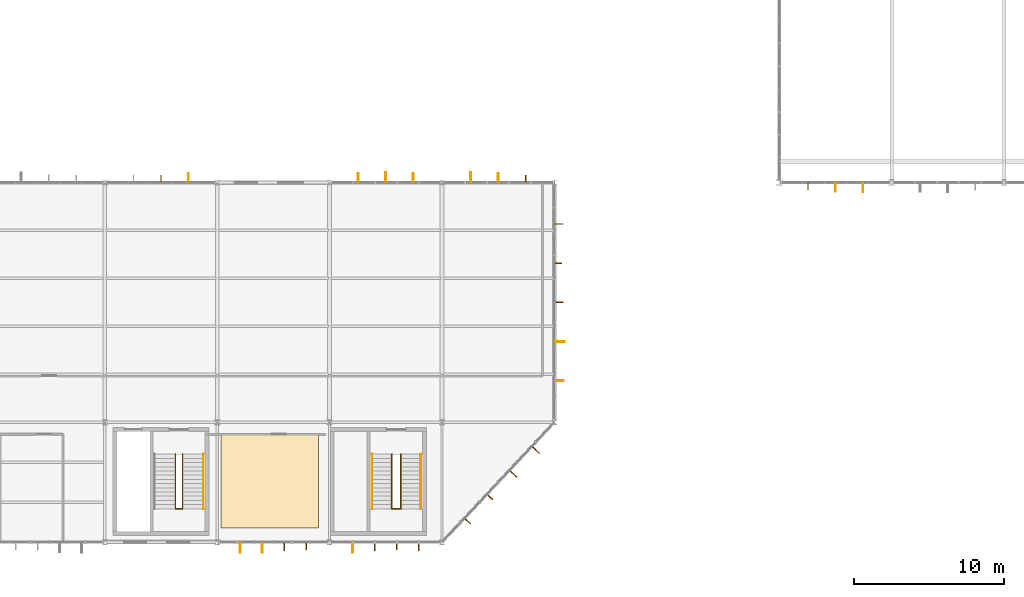
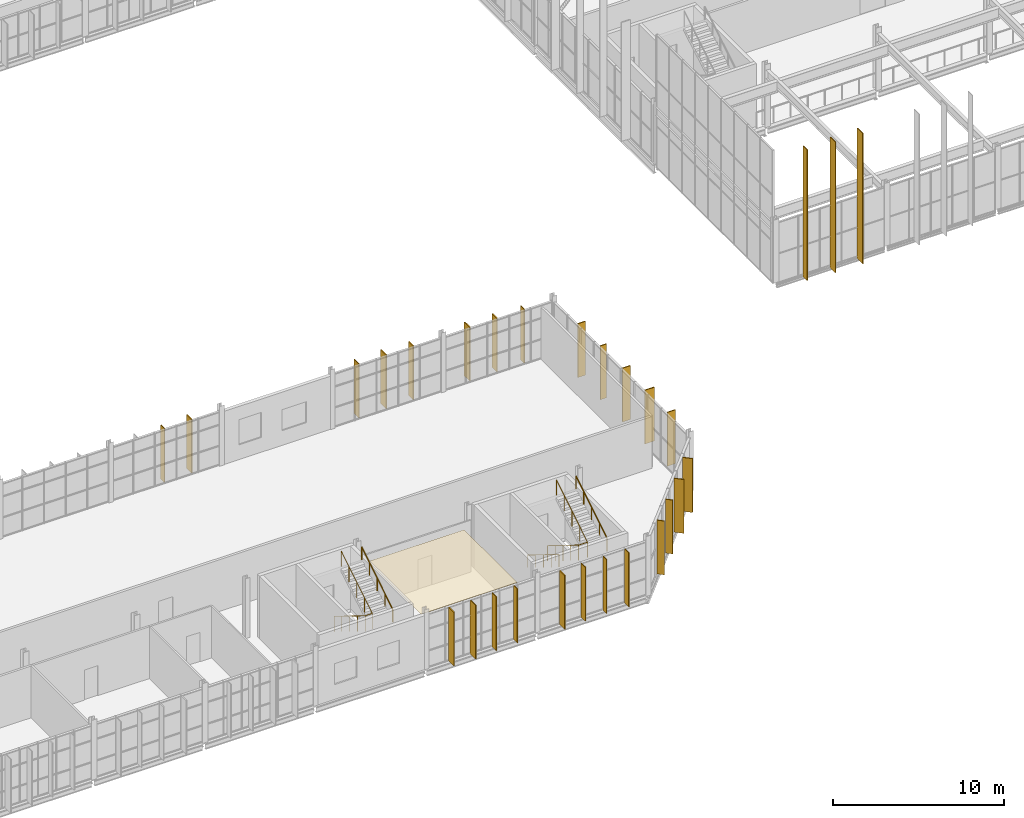
# One storey, part 316 of 324: 29 coverings, 5 railings.
"""IFC4 building model written with IfcOpenShell, lengths in metres."""

from ifc_helpers import new_model, si_unit, direction, frame, origin, origin_2d, place, context, subcontext, project, spatial, polyline, rectangle, circle, outline, extrude, material, layer, layer_set, type_object, element, save


model = new_model("IFC4")

# Units and contexts
model_context = context("Model", 3, precision=1e-05, world=origin(), true_north=direction((0.0, 1.0)))
body_context = subcontext(model_context, "Body", "Model", "MODEL_VIEW")
ifc_project = project(units=[si_unit("LENGTHUNIT", "METRE"), si_unit("AREAUNIT", "SQUARE_METRE"), si_unit("VOLUMEUNIT", "CUBIC_METRE"), si_unit("PLANEANGLEUNIT", "RADIAN"), si_unit("MASSUNIT", "GRAM", prefix="KILO")], contexts=[model_context])

# Site, building, storey
site_placement = place(None, origin())
site = spatial("IfcSite", under=ifc_project, at=site_placement, CompositionType="ELEMENT")
building_placement = place(site_placement, origin())
building = spatial("IfcBuilding", under=site, at=building_placement, Name="Solvenia Promenade Tram Depot", CompositionType="ELEMENT")
storey_placement = place(building_placement, frame((0.0, 0.0, 4.5)))
storey = spatial("IfcBuildingStorey", under=building, at=storey_placement, Name="L01", CompositionType="ELEMENT", Elevation=4.5)

# Coverings
ifc_material_1 = material(Name="Mineral-fibre acoustic ceiling tile", Category="other")
ifc_layer_1 = layer(ifc_material_1, 0.02001953125, Name="Mineral-fibre acoustic ceiling tile", Category="other")
ifc_layer_set_1 = layer_set([ifc_layer_1], Name="Mineral-fibre acoustic ceiling tile")
covering_type_1 = type_object("IfcCoveringType", Name="Ceiling-Acoustic-20", PredefinedType="CEILING", material=ifc_layer_set_1)
covering_1_placement = place(storey_placement, frame((0.0, 0.0, 3.14990234375)))
element("IfcCovering", 1, at=covering_1_placement, inside=storey, type_object=covering_type_1, Name="Staff Infirmary Acoustic Ceiling", PredefinedType="CEILING", context=body_context, shape_type="SweptSolid", body=[
    extrude(outline(polyline([(67.75, 0.949951171875), (74.25, 0.949951171875), (74.25, 7.159912109375), (67.75, 7.159912109375), (67.75, 0.949951171875)])), origin(), (0.0, 0.0, 1.0), 0.02001953125),
])
ifc_material_2 = material(Name="Anodized aluminium AW-6063 T6", Category="aluminium")
ifc_layer_2 = layer(ifc_material_2, 0.06005859375, Name="Anodized aluminium AW-6063 T6", Category="aluminium")
ifc_layer_set_2 = layer_set([ifc_layer_2], Name="Anodized aluminium AW-6063 T6")
covering_type_2 = type_object("IfcCoveringType", Name="Fin-Param-560", PredefinedType="CLADDING", material=ifc_layer_set_2)
covering_2_placement = place(storey_placement, frame((106.9150390625, 23.739501953125, -0.35009765625), z_axis=(0.0, 0.0, 1.0), x_axis=(1.0, 0.0, 0.0)))
element("IfcCovering", 2, at=covering_2_placement, inside=storey, type_object=covering_type_2, Name="Parametric Vertical Brise-Soleil Fin 182", PredefinedType="CLADDING", context=body_context, shape_type="SweptSolid", body=[
    extrude(rectangle(XDim=0.06005859375, YDim=0.470947265625, at=origin_2d()), origin(), (0.0, 0.0, 1.0), 9.35009765625),
])
covering_3_placement = place(storey_placement, frame((108.75, 23.672119140625, -0.35009765625), z_axis=(0.0, 0.0, 1.0), x_axis=(1.0, 0.0, 0.0)))
element("IfcCovering", 3, at=covering_3_placement, inside=storey, type_object=covering_type_2, Name="Parametric Vertical Brise-Soleil Fin 183", PredefinedType="CLADDING", context=body_context, shape_type="SweptSolid", body=[
    extrude(rectangle(XDim=0.06005859375, YDim=0.60595703125, at=origin_2d()), origin(), (0.0, 0.0, 1.0), 9.35009765625),
])
covering_4_placement = place(storey_placement, frame((110.5849609375, 23.66259765625, -0.35009765625), z_axis=(0.0, 0.0, 1.0), x_axis=(1.0, 0.0, 0.0)))
element("IfcCovering", 4, at=covering_4_placement, inside=storey, type_object=covering_type_2, Name="Parametric Vertical Brise-Soleil Fin 184", PredefinedType="CLADDING", context=body_context, shape_type="SweptSolid", body=[
    extrude(rectangle(XDim=0.06005859375, YDim=0.625, at=origin_2d()), origin(), (0.0, 0.0, 1.0), 9.35009765625),
])
covering_5_placement = place(storey_placement, frame((84.22216796875, 1.3916015625, 0.0), z_axis=(0.0, 0.0, 1.0), x_axis=(0.683910700219, 0.729565729819, 0.0)))
element("IfcCovering", 5, at=covering_5_placement, inside=storey, type_object=covering_type_2, Name="Parametric Vertical Brise-Soleil Fin 310", PredefinedType="CLADDING", context=body_context, shape_type="SweptSolid", body=[
    extrude(rectangle(XDim=0.06005859375, YDim=0.458984375, at=origin_2d()), origin(), (0.0, 0.0, 1.0), 3.85009765625),
])
covering_6_placement = place(storey_placement, frame((85.717041015625, 2.99658203125, 0.0), z_axis=(0.0, 0.0, 1.0), x_axis=(0.683910700219, 0.729565729819, 0.0)))
element("IfcCovering", 6, at=covering_6_placement, inside=storey, type_object=covering_type_2, Name="Parametric Vertical Brise-Soleil Fin 311", PredefinedType="CLADDING", context=body_context, shape_type="SweptSolid", body=[
    extrude(rectangle(XDim=0.06005859375, YDim=0.445068359375, at=origin_2d()), origin(), (0.0, 0.0, 1.0), 3.85009765625),
])
covering_7_placement = place(storey_placement, frame((87.273193359375, 4.5439453125, 0.0), z_axis=(0.0, 0.0, 1.0), x_axis=(0.683910700219, 0.729565729819, 0.0)))
element("IfcCovering", 7, at=covering_7_placement, inside=storey, type_object=covering_type_2, Name="Parametric Vertical Brise-Soleil Fin 312", PredefinedType="CLADDING", context=body_context, shape_type="SweptSolid", body=[
    extrude(rectangle(XDim=0.06005859375, YDim=0.59912109375, at=origin_2d()), origin(), (0.0, 0.0, 1.0), 3.85009765625),
])
covering_8_placement = place(storey_placement, frame((88.77978515625, 6.1376953125, 0.0), z_axis=(0.0, 0.0, 1.0), x_axis=(0.683910700219, 0.729565729819, 0.0)))
element("IfcCovering", 8, at=covering_8_placement, inside=storey, type_object=covering_type_2, Name="Parametric Vertical Brise-Soleil Fin 313", PredefinedType="CLADDING", context=body_context, shape_type="SweptSolid", body=[
    extrude(rectangle(XDim=0.06005859375, YDim=0.616943359375, at=origin_2d()), origin(), (0.0, 0.0, 1.0), 3.85009765625),
])
covering_9_placement = place(storey_placement, frame((69.048095703125, -0.382080078125, 0.0), z_axis=(0.0, 0.0, 1.0), x_axis=(1.0, 0.0, 0.0)))
element("IfcCovering", 9, at=covering_9_placement, inside=storey, type_object=covering_type_2, Name="Parametric Vertical Brise-Soleil Fin 338", PredefinedType="CLADDING", context=body_context, shape_type="SweptSolid", body=[
    extrude(rectangle(XDim=0.06005859375, YDim=0.614013671875, at=origin_2d()), origin(), (0.0, 0.0, 1.0), 3.85009765625),
])
covering_10_placement = place(storey_placement, frame((70.51611328125, -0.386474609375, 0.0), z_axis=(0.0, 0.0, 1.0), x_axis=(1.0, 0.0, 0.0)))
element("IfcCovering", 10, at=covering_10_placement, inside=storey, type_object=covering_type_2, Name="Parametric Vertical Brise-Soleil Fin 339", PredefinedType="CLADDING", context=body_context, shape_type="SweptSolid", body=[
    extrude(rectangle(XDim=0.06005859375, YDim=0.623046875, at=origin_2d()), origin(), (0.0, 0.0, 1.0), 3.85009765625),
])
covering_11_placement = place(storey_placement, frame((71.98388671875, -0.326416015625, 0.0), z_axis=(0.0, 0.0, 1.0), x_axis=(1.0, 0.0, 0.0)))
element("IfcCovering", 11, at=covering_11_placement, inside=storey, type_object=covering_type_2, Name="Parametric Vertical Brise-Soleil Fin 340", PredefinedType="CLADDING", context=body_context, shape_type="SweptSolid", body=[
    extrude(rectangle(XDim=0.06005859375, YDim=0.5029296875, at=origin_2d()), origin(), (0.0, 0.0, 1.0), 3.85009765625),
])
covering_12_placement = place(storey_placement, frame((73.451904296875, -0.284912109375, 0.0), z_axis=(0.0, 0.0, 1.0), x_axis=(1.0, 0.0, 0.0)))
element("IfcCovering", 12, at=covering_12_placement, inside=storey, type_object=covering_type_2, Name="Parametric Vertical Brise-Soleil Fin 341", PredefinedType="CLADDING", context=body_context, shape_type="SweptSolid", body=[
    extrude(rectangle(XDim=0.06005859375, YDim=0.419921875, at=origin_2d()), origin(), (0.0, 0.0, 1.0), 3.85009765625),
])
covering_13_placement = place(storey_placement, frame((76.548095703125, -0.384033203125, 0.0), z_axis=(0.0, 0.0, 1.0), x_axis=(1.0, 0.0, 0.0)))
element("IfcCovering", 13, at=covering_13_placement, inside=storey, type_object=covering_type_2, Name="Parametric Vertical Brise-Soleil Fin 342", PredefinedType="CLADDING", context=body_context, shape_type="SweptSolid", body=[
    extrude(rectangle(XDim=0.06005859375, YDim=0.617919921875, at=origin_2d()), origin(), (0.0, 0.0, 1.0), 3.85009765625),
])
covering_14_placement = place(storey_placement, frame((78.01611328125, -0.322021484375, 0.0), z_axis=(0.0, 0.0, 1.0), x_axis=(1.0, 0.0, 0.0)))
element("IfcCovering", 14, at=covering_14_placement, inside=storey, type_object=covering_type_2, Name="Parametric Vertical Brise-Soleil Fin 343", PredefinedType="CLADDING", context=body_context, shape_type="SweptSolid", body=[
    extrude(rectangle(XDim=0.06005859375, YDim=0.493896484375, at=origin_2d()), origin(), (0.0, 0.0, 1.0), 3.85009765625),
])
covering_15_placement = place(storey_placement, frame((79.48388671875, -0.284912109375, 0.0), z_axis=(0.0, 0.0, 1.0), x_axis=(1.0, 0.0, 0.0)))
element("IfcCovering", 15, at=covering_15_placement, inside=storey, type_object=covering_type_2, Name="Parametric Vertical Brise-Soleil Fin 344", PredefinedType="CLADDING", context=body_context, shape_type="SweptSolid", body=[
    extrude(rectangle(XDim=0.06005859375, YDim=0.419921875, at=origin_2d()), origin(), (0.0, 0.0, 1.0), 3.85009765625),
])
covering_16_placement = place(storey_placement, frame((80.951904296875, -0.324951171875, 0.0), z_axis=(0.0, 0.0, 1.0), x_axis=(1.0, 0.0, 0.0)))
element("IfcCovering", 16, at=covering_16_placement, inside=storey, type_object=covering_type_2, Name="Parametric Vertical Brise-Soleil Fin 345", PredefinedType="CLADDING", context=body_context, shape_type="SweptSolid", body=[
    extrude(rectangle(XDim=0.06005859375, YDim=0.5, at=origin_2d()), origin(), (0.0, 0.0, 1.0), 3.85009765625),
])
covering_17_placement = place(storey_placement, frame((63.75, 24.277099609375, 0.0), z_axis=(0.0, 0.0, 1.0), x_axis=(1.0, 0.0, 0.0)))
element("IfcCovering", 17, at=covering_17_placement, inside=storey, type_object=covering_type_2, Name="Parametric Vertical Brise-Soleil Fin 353", PredefinedType="CLADDING", context=body_context, shape_type="SweptSolid", body=[
    extrude(rectangle(XDim=0.06005859375, YDim=0.43408203125, at=origin_2d()), origin(), (0.0, 0.0, 1.0), 3.85009765625),
])
covering_18_placement = place(storey_placement, frame((65.5849609375, 24.340087890625, 0.0), z_axis=(0.0, 0.0, 1.0), x_axis=(1.0, 0.0, 0.0)))
element("IfcCovering", 18, at=covering_18_placement, inside=storey, type_object=covering_type_2, Name="Parametric Vertical Brise-Soleil Fin 354", PredefinedType="CLADDING", context=body_context, shape_type="SweptSolid", body=[
    extrude(rectangle(XDim=0.06005859375, YDim=0.56005859375, at=origin_2d()), origin(), (0.0, 0.0, 1.0), 3.85009765625),
])
covering_19_placement = place(storey_placement, frame((76.9150390625, 24.342041015625, 0.0), z_axis=(0.0, 0.0, 1.0), x_axis=(1.0, 0.0, 0.0)))
element("IfcCovering", 19, at=covering_19_placement, inside=storey, type_object=covering_type_2, Name="Parametric Vertical Brise-Soleil Fin 355", PredefinedType="CLADDING", context=body_context, shape_type="SweptSolid", body=[
    extrude(rectangle(XDim=0.06005859375, YDim=0.56396484375, at=origin_2d()), origin(), (0.0, 0.0, 1.0), 3.85009765625),
])
covering_20_placement = place(storey_placement, frame((78.75, 24.3798828125, 0.0), z_axis=(0.0, 0.0, 1.0), x_axis=(1.0, 0.0, 0.0)))
element("IfcCovering", 20, at=covering_20_placement, inside=storey, type_object=covering_type_2, Name="Parametric Vertical Brise-Soleil Fin 356", PredefinedType="CLADDING", context=body_context, shape_type="SweptSolid", body=[
    extrude(rectangle(XDim=0.06005859375, YDim=0.639892578125, at=origin_2d()), origin(), (0.0, 0.0, 1.0), 3.85009765625),
])
covering_21_placement = place(storey_placement, frame((80.5849609375, 24.333984375, 0.0), z_axis=(0.0, 0.0, 1.0), x_axis=(1.0, 0.0, 0.0)))
element("IfcCovering", 21, at=covering_21_placement, inside=storey, type_object=covering_type_2, Name="Parametric Vertical Brise-Soleil Fin 357", PredefinedType="CLADDING", context=body_context, shape_type="SweptSolid", body=[
    extrude(rectangle(XDim=0.06005859375, YDim=0.548095703125, at=origin_2d()), origin(), (0.0, 0.0, 1.0), 3.85009765625),
])
covering_22_placement = place(storey_placement, frame((84.4150390625, 24.3798828125, 0.0), z_axis=(0.0, 0.0, 1.0), x_axis=(1.0, 0.0, 0.0)))
element("IfcCovering", 22, at=covering_22_placement, inside=storey, type_object=covering_type_2, Name="Parametric Vertical Brise-Soleil Fin 358", PredefinedType="CLADDING", context=body_context, shape_type="SweptSolid", body=[
    extrude(rectangle(XDim=0.06005859375, YDim=0.639892578125, at=origin_2d()), origin(), (0.0, 0.0, 1.0), 3.85009765625),
])
covering_23_placement = place(storey_placement, frame((86.25, 24.3330078125, 0.0), z_axis=(0.0, 0.0, 1.0), x_axis=(1.0, 0.0, 0.0)))
element("IfcCovering", 23, at=covering_23_placement, inside=storey, type_object=covering_type_2, Name="Parametric Vertical Brise-Soleil Fin 359", PredefinedType="CLADDING", context=body_context, shape_type="SweptSolid", body=[
    extrude(rectangle(XDim=0.06005859375, YDim=0.5458984375, at=origin_2d()), origin(), (0.0, 0.0, 1.0), 3.85009765625),
])
covering_24_placement = place(storey_placement, frame((88.0849609375, 24.27392578125, 0.0), z_axis=(0.0, 0.0, 1.0), x_axis=(1.0, 0.0, 0.0)))
element("IfcCovering", 24, at=covering_24_placement, inside=storey, type_object=covering_type_2, Name="Parametric Vertical Brise-Soleil Fin 360", PredefinedType="CLADDING", context=body_context, shape_type="SweptSolid", body=[
    extrude(rectangle(XDim=0.06005859375, YDim=0.427978515625, at=origin_2d()), origin(), (0.0, 0.0, 1.0), 3.85009765625),
])
covering_25_placement = place(storey_placement, frame((90.340576171875, 10.7666015625, 0.0), z_axis=(0.0, 0.0, 1.0), x_axis=(0.0, 1.0, 0.0)))
element("IfcCovering", 25, at=covering_25_placement, inside=storey, type_object=covering_type_2, Name="Parametric Vertical Brise-Soleil Fin 366", PredefinedType="CLADDING", context=body_context, shape_type="SweptSolid", body=[
    extrude(rectangle(XDim=0.06005859375, YDim=0.56103515625, at=origin_2d()), origin(), (0.0, 0.0, 1.0), 3.85009765625),
])
covering_26_placement = place(storey_placement, frame((90.37890625, 13.38330078125, 0.0), z_axis=(0.0, 0.0, 1.0), x_axis=(0.0, 1.0, 0.0)))
element("IfcCovering", 26, at=covering_26_placement, inside=storey, type_object=covering_type_2, Name="Parametric Vertical Brise-Soleil Fin 367", PredefinedType="CLADDING", context=body_context, shape_type="SweptSolid", body=[
    extrude(rectangle(XDim=0.06005859375, YDim=0.637939453125, at=origin_2d()), origin(), (0.0, 0.0, 1.0), 3.85009765625),
])
covering_27_placement = place(storey_placement, frame((90.320068359375, 16.0, 0.0), z_axis=(0.0, 0.0, 1.0), x_axis=(0.0, 1.0, 0.0)))
element("IfcCovering", 27, at=covering_27_placement, inside=storey, type_object=covering_type_2, Name="Parametric Vertical Brise-Soleil Fin 368", PredefinedType="CLADDING", context=body_context, shape_type="SweptSolid", body=[
    extrude(rectangle(XDim=0.06005859375, YDim=0.52001953125, at=origin_2d()), origin(), (0.0, 0.0, 1.0), 3.85009765625),
])
covering_28_placement = place(storey_placement, frame((90.27001953125, 18.61669921875, 0.0), z_axis=(0.0, 0.0, 1.0), x_axis=(0.0, 1.0, 0.0)))
element("IfcCovering", 28, at=covering_28_placement, inside=storey, type_object=covering_type_2, Name="Parametric Vertical Brise-Soleil Fin 369", PredefinedType="CLADDING", context=body_context, shape_type="SweptSolid", body=[
    extrude(rectangle(XDim=0.06005859375, YDim=0.419921875, at=origin_2d()), origin(), (0.0, 0.0, 1.0), 3.85009765625),
])
covering_29_placement = place(storey_placement, frame((90.319091796875, 21.2333984375, 0.0), z_axis=(0.0, 0.0, 1.0), x_axis=(0.0, 1.0, 0.0)))
element("IfcCovering", 29, at=covering_29_placement, inside=storey, type_object=covering_type_2, Name="Parametric Vertical Brise-Soleil Fin 370", PredefinedType="CLADDING", context=body_context, shape_type="SweptSolid", body=[
    extrude(rectangle(XDim=0.06005859375, YDim=0.51806640625, at=origin_2d()), origin(), (0.0, 0.0, 1.0), 3.85009765625),
])

# Railings
railing_type_1 = type_object("IfcRailingType", Name="Guard-Stair-1100", PredefinedType="GUARDRAIL", material=ifc_material_2)
railing_1_placement = place(storey_placement, frame((64.7099609375, 5.8701171875, 0.0)))
element("IfcRailing", 30, at=railing_1_placement, inside=storey, type_object=railing_type_1, Name="Stair Inner Well Guard ST-03-L01", PredefinedType="GUARDRAIL", context=body_context, shape_type="SweptSolid", body=[
    extrude(circle(Radius=0.02392578125, at=origin_2d()), frame((0.0, 0.0, 1.09619140625), z_axis=(0.0, -0.850622404505, 0.525777067734), x_axis=(1.0, 0.0, 0.0)), (0.0, 0.0, 1.0), 4.279296875),
    extrude(circle(Radius=0.02392578125, at=origin_2d()), frame((0.0, -3.64013671875, 3.34619140625), z_axis=(1.0, 0.0, 0.0), x_axis=(0.0, 1.0, 0.0)), (0.0, 0.0, 1.0), 0.47998046875),
    extrude(circle(Radius=0.02392578125, at=origin_2d()), frame((0.47998046875, -3.64013671875, 3.34619140625), z_axis=(0.0, 0.850622404505, 0.525777067734), x_axis=(-1.0, 0.0, 0.0)), (0.0, 0.0, 1.0), 4.279296875),
    extrude(circle(Radius=0.02099609375, at=origin_2d()), origin(), (0.0, 0.0, 1.0), 1.072021484375),
    extrude(circle(Radius=0.02099609375, at=origin_2d()), frame((0.0, -0.91015625, 0.5625)), (0.0, 0.0, 1.0), 1.072021484375),
    extrude(circle(Radius=0.02099609375, at=origin_2d()), frame((0.0, -1.820068359375, 1.125)), (0.0, 0.0, 1.0), 1.072021484375),
    extrude(circle(Radius=0.02099609375, at=origin_2d()), frame((0.0, -2.72998046875, 1.6875)), (0.0, 0.0, 1.0), 1.072021484375),
    extrude(circle(Radius=0.02099609375, at=origin_2d()), frame((0.0, -3.64013671875, 2.25)), (0.0, 0.0, 1.0), 1.072021484375),
    extrude(circle(Radius=0.02099609375, at=origin_2d()), frame((0.47998046875, -3.64013671875, 2.25)), (0.0, 0.0, 1.0), 1.072021484375),
    extrude(circle(Radius=0.02099609375, at=origin_2d()), frame((0.47998046875, -2.72998046875, 2.8125)), (0.0, 0.0, 1.0), 1.072021484375),
    extrude(circle(Radius=0.02099609375, at=origin_2d()), frame((0.47998046875, -1.820068359375, 3.375)), (0.0, 0.0, 1.0), 1.072021484375),
    extrude(circle(Radius=0.02099609375, at=origin_2d()), frame((0.47998046875, -0.91015625, 3.9375)), (0.0, 0.0, 1.0), 1.072021484375),
    extrude(circle(Radius=0.02099609375, at=origin_2d()), frame((0.47998046875, 0.0, 4.5)), (0.0, 0.0, 1.0), 1.072021484375),
])
railing_2_placement = place(storey_placement, frame((79.14990234375, 5.8701171875, 0.0)))
element("IfcRailing", 31, at=railing_2_placement, inside=storey, type_object=railing_type_1, Name="Stair Inner Well Guard ST-04-L01", PredefinedType="GUARDRAIL", context=body_context, shape_type="SweptSolid", body=[
    extrude(circle(Radius=0.02392578125, at=origin_2d()), frame((0.0, 0.0, 1.09619140625), z_axis=(0.0, -0.850622404505, 0.525777067734), x_axis=(1.0, 0.0, 0.0)), (0.0, 0.0, 1.0), 4.279296875),
    extrude(circle(Radius=0.02392578125, at=origin_2d()), frame((0.0, -3.64013671875, 3.34619140625), z_axis=(1.0, 0.0, 0.0), x_axis=(0.0, 1.0, 0.0)), (0.0, 0.0, 1.0), 0.60009765625),
    extrude(circle(Radius=0.02392578125, at=origin_2d()), frame((0.60009765625, -3.64013671875, 3.34619140625), z_axis=(0.0, 0.850622404505, 0.525777067734), x_axis=(-1.0, 0.0, 0.0)), (0.0, 0.0, 1.0), 4.279296875),
    extrude(circle(Radius=0.02099609375, at=origin_2d()), origin(), (0.0, 0.0, 1.0), 1.072021484375),
    extrude(circle(Radius=0.02099609375, at=origin_2d()), frame((0.0, -0.91015625, 0.5625)), (0.0, 0.0, 1.0), 1.072021484375),
    extrude(circle(Radius=0.02099609375, at=origin_2d()), frame((0.0, -1.820068359375, 1.125)), (0.0, 0.0, 1.0), 1.072021484375),
    extrude(circle(Radius=0.02099609375, at=origin_2d()), frame((0.0, -2.72998046875, 1.6875)), (0.0, 0.0, 1.0), 1.072021484375),
    extrude(circle(Radius=0.02099609375, at=origin_2d()), frame((0.0, -3.64013671875, 2.25)), (0.0, 0.0, 1.0), 1.072021484375),
    extrude(circle(Radius=0.02099609375, at=origin_2d()), frame((0.60009765625, -3.64013671875, 2.25)), (0.0, 0.0, 1.0), 1.072021484375),
    extrude(circle(Radius=0.02099609375, at=origin_2d()), frame((0.60009765625, -2.72998046875, 2.8125)), (0.0, 0.0, 1.0), 1.072021484375),
    extrude(circle(Radius=0.02099609375, at=origin_2d()), frame((0.60009765625, -1.820068359375, 3.375)), (0.0, 0.0, 1.0), 1.072021484375),
    extrude(circle(Radius=0.02099609375, at=origin_2d()), frame((0.60009765625, -0.91015625, 3.9375)), (0.0, 0.0, 1.0), 1.072021484375),
    extrude(circle(Radius=0.02099609375, at=origin_2d()), frame((0.60009765625, 0.0, 4.5)), (0.0, 0.0, 1.0), 1.072021484375),
])
railing_type_2 = type_object("IfcRailingType", Name="Handrail-Stair-920", PredefinedType="HANDRAIL", material=ifc_material_2)
railing_3_placement = place(storey_placement, frame((66.580078125, 2.22998046875, 2.25)))
element("IfcRailing", 32, at=railing_3_placement, inside=storey, type_object=railing_type_2, Name="Stair Wall Handrail ST-03-L01-F2", PredefinedType="HANDRAIL", context=body_context, shape_type="SweptSolid", body=[
    extrude(circle(Radius=0.02392578125, at=origin_2d()), frame((0.0, 0.0, 0.89599609375), z_axis=(0.0, 0.850622404505, 0.525777067734), x_axis=(-1.0, 0.0, 0.0)), (0.0, 0.0, 1.0), 4.279296875),
    extrude(circle(Radius=0.02099609375, at=origin_2d()), origin(), (0.0, 0.0, 1.0), 0.871826171875),
    extrude(circle(Radius=0.02099609375, at=origin_2d()), frame((0.0, 0.91015625, 0.5625)), (0.0, 0.0, 1.0), 0.871826171875),
    extrude(circle(Radius=0.02099609375, at=origin_2d()), frame((0.0, 1.820068359375, 1.125)), (0.0, 0.0, 1.0), 0.871826171875),
    extrude(circle(Radius=0.02099609375, at=origin_2d()), frame((0.0, 2.72998046875, 1.6875)), (0.0, 0.0, 1.0), 0.871826171875),
    extrude(circle(Radius=0.02099609375, at=origin_2d()), frame((0.0, 3.64013671875, 2.25)), (0.0, 0.0, 1.0), 0.871826171875),
])
railing_4_placement = place(storey_placement, frame((77.820068359375, 5.8701171875, 0.0)))
element("IfcRailing", 33, at=railing_4_placement, inside=storey, type_object=railing_type_2, Name="Stair Wall Handrail ST-04-L01-F1", PredefinedType="HANDRAIL", context=body_context, shape_type="SweptSolid", body=[
    extrude(circle(Radius=0.02392578125, at=origin_2d()), frame((0.0, 0.0, 0.89599609375), z_axis=(0.0, -0.850622404505, 0.525777067734), x_axis=(1.0, 0.0, 0.0)), (0.0, 0.0, 1.0), 4.279296875),
    extrude(circle(Radius=0.02099609375, at=origin_2d()), origin(), (0.0, 0.0, 1.0), 0.871826171875),
    extrude(circle(Radius=0.02099609375, at=origin_2d()), frame((0.0, -0.91015625, 0.5625)), (0.0, 0.0, 1.0), 0.871826171875),
    extrude(circle(Radius=0.02099609375, at=origin_2d()), frame((0.0, -1.820068359375, 1.125)), (0.0, 0.0, 1.0), 0.871826171875),
    extrude(circle(Radius=0.02099609375, at=origin_2d()), frame((0.0, -2.72998046875, 1.6875)), (0.0, 0.0, 1.0), 0.871826171875),
    extrude(circle(Radius=0.02099609375, at=origin_2d()), frame((0.0, -3.64013671875, 2.25)), (0.0, 0.0, 1.0), 0.871826171875),
])
railing_5_placement = place(storey_placement, frame((81.080078125, 2.22998046875, 2.25)))
element("IfcRailing", 34, at=railing_5_placement, inside=storey, type_object=railing_type_2, Name="Stair Wall Handrail ST-04-L01-F2", PredefinedType="HANDRAIL", context=body_context, shape_type="SweptSolid", body=[
    extrude(circle(Radius=0.02392578125, at=origin_2d()), frame((0.0, 0.0, 0.89599609375), z_axis=(0.0, 0.850622404505, 0.525777067734), x_axis=(-1.0, 0.0, 0.0)), (0.0, 0.0, 1.0), 4.279296875),
    extrude(circle(Radius=0.02099609375, at=origin_2d()), origin(), (0.0, 0.0, 1.0), 0.871826171875),
    extrude(circle(Radius=0.02099609375, at=origin_2d()), frame((0.0, 0.91015625, 0.5625)), (0.0, 0.0, 1.0), 0.871826171875),
    extrude(circle(Radius=0.02099609375, at=origin_2d()), frame((0.0, 1.820068359375, 1.125)), (0.0, 0.0, 1.0), 0.871826171875),
    extrude(circle(Radius=0.02099609375, at=origin_2d()), frame((0.0, 2.72998046875, 1.6875)), (0.0, 0.0, 1.0), 0.871826171875),
    extrude(circle(Radius=0.02099609375, at=origin_2d()), frame((0.0, 3.64013671875, 2.25)), (0.0, 0.0, 1.0), 0.871826171875),
])

save(model, "model.ifc")
